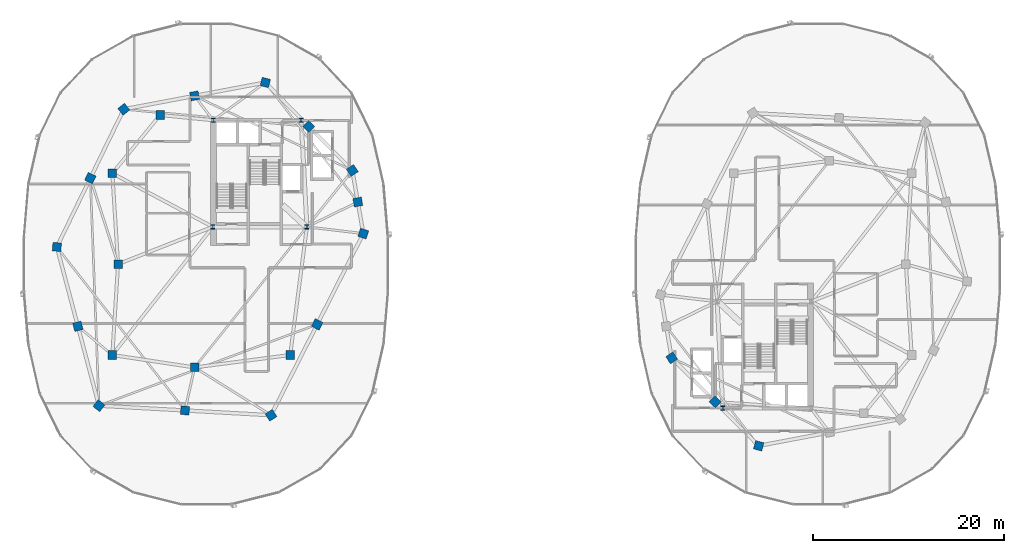
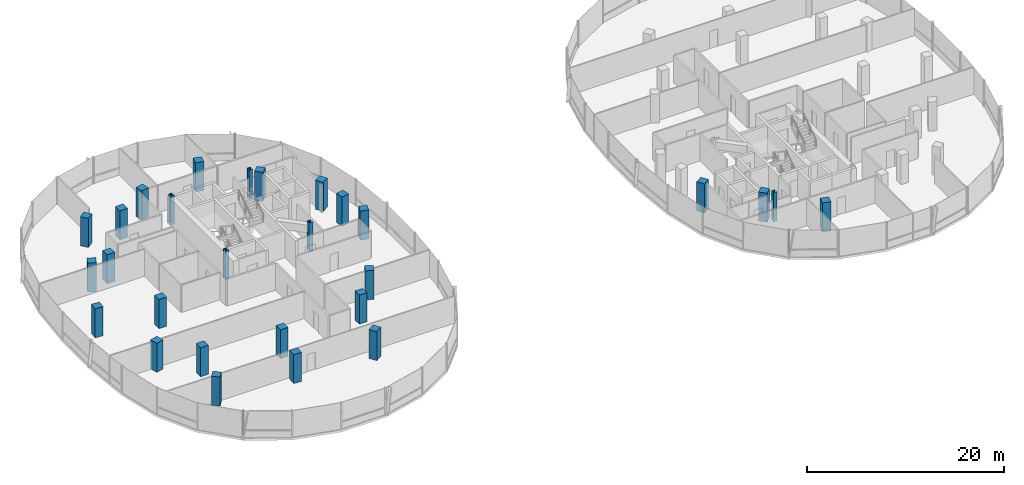
# One storey, part 1 of 25: 28 columns.
"""IFC4 building model written with IfcOpenShell, lengths in metres."""

import ifcopenshell
import ifcopenshell.guid

model = None  # the IFC model being written
_history = None  # IfcOwnerHistory: only IFC2X3 demands one
_inside = {}  # id of a spatial element -> (the spatial element, [elements in it])
_under = {}  # id of a project, library or spatial element -> (it, [spatial elements below it])
_declared = {}  # id of a project -> (the project, [libraries it declares])
_typed = {}  # id of a type object -> (the type object, [elements of that type])
_made_of = {}  # id of a material, layer set ... -> (it, [elements and type objects made of it])


def new_model(schema):
    """Start an empty IFC model of exactly this schema.

    Asked for "IFC4X3", IfcOpenShell would pick the latest addendum, in which some entities
    have other attributes; the version numbers below select the first issue.
    IFC2X3 requires an IfcOwnerHistory on every rooted entity: one is made here for all.
    """
    global model, _history
    if schema == "IFC4X3":
        model = ifcopenshell.file(schema_version=(4, 3, 0, 0))
    else:
        model = ifcopenshell.file(schema=schema)
    _inside.clear()
    _under.clear()
    _declared.clear()
    _typed.clear()
    _made_of.clear()
    _history = None
    if model.schema == "IFC2X3":
        org = make("IfcOrganization", Name="unknown")
        user = make(
            "IfcPersonAndOrganization",
            ThePerson=make("IfcPerson", FamilyName="unknown"),
            TheOrganization=org,
        )
        app = make(
            "IfcApplication",
            ApplicationDeveloper=org,
            Version="unknown",
            ApplicationFullName="unknown",
            ApplicationIdentifier="unknown",
        )
        _history = make(
            "IfcOwnerHistory",
            OwningUser=user,
            OwningApplication=app,
            ChangeAction="ADDED",
            CreationDate=0,
        )
    return model


def make(cls, **values):
    """One entity of the class cls with the attributes given. An attribute that is None is left unset."""
    return model.create_entity(
        cls, **{name: value for name, value in values.items() if value is not None}
    )


def rooted(cls, **values):
    """An entity with a GlobalId (a new one), such as an element, a storey or a relation."""
    return make(cls, GlobalId=ifcopenshell.guid.new(), OwnerHistory=_history, **values)


def si_unit(unit_type, name, prefix=None):
    """IfcSIUnit, for example si_unit("LENGTHUNIT", "METRE", prefix="MILLI")."""
    return make("IfcSIUnit", UnitType=unit_type, Prefix=prefix, Name=name)


def assignment(units):
    """IfcUnitAssignment: the units of a project."""
    return None if units is None else make("IfcUnitAssignment", Units=units)


def point(xyz):
    """IfcCartesianPoint."""
    return None if xyz is None else make("IfcCartesianPoint", Coordinates=xyz)


def direction(xyz):
    """IfcDirection."""
    return None if xyz is None else make("IfcDirection", DirectionRatios=xyz)


def frame(location, z_axis=None, x_axis=None):
    """IfcAxis2Placement3D, a coordinate frame: its origin and axes. An axis left out is left unset."""
    return make(
        "IfcAxis2Placement3D",
        Location=point(location),
        Axis=direction(z_axis),
        RefDirection=direction(x_axis),
    )


def frame_2d(location, x_axis=None):
    """IfcAxis2Placement2D, a coordinate frame in the plane: its origin and x axis."""
    return make(
        "IfcAxis2Placement2D", Location=point(location), RefDirection=direction(x_axis)
    )


def origin():
    """The frame at (0, 0, 0) with its axes left unset."""
    return frame((0.0, 0.0, 0.0))


def origin_2d():
    """The frame at (0, 0) in the plane with its x axis left unset."""
    return frame_2d((0.0, 0.0))


def place(relative_to, where):
    """IfcLocalPlacement: puts the frame where relative to a parent placement (None: the world)."""
    return make(
        "IfcLocalPlacement", PlacementRelTo=relative_to, RelativePlacement=where
    )


def context(
    kind, dimensions, precision=None, world=None, true_north=None, identifier=None
):
    """IfcGeometricRepresentationContext, for example the 3D "Model" context."""
    return make(
        "IfcGeometricRepresentationContext",
        ContextIdentifier=identifier,
        ContextType=kind,
        CoordinateSpaceDimension=dimensions,
        Precision=precision,
        WorldCoordinateSystem=world,
        TrueNorth=true_north,
    )


def subcontext(parent, identifier, kind, view, scale=None):
    """IfcGeometricRepresentationSubContext, for example "Body" below "Model"."""
    return make(
        "IfcGeometricRepresentationSubContext",
        ContextIdentifier=identifier,
        ContextType=kind,
        ParentContext=parent,
        TargetScale=scale,
        TargetView=view,
    )


def project(units=None, contexts=None):
    """IfcProject with its units and contexts."""
    return rooted(
        "IfcProject",
        Name="project",
        RepresentationContexts=contexts,
        UnitsInContext=assignment(units),
    )


def spatial(cls, under=None, at=None, **own):
    """A site, building, storey or space (cls), placed at a placement, below another one or the project."""
    s = rooted(cls, ObjectPlacement=at, **own)
    if under is not None:
        _under.setdefault(under.id(), (under, []))[1].append(s)
    return s


def profile(cls, at=None, kind="AREA", **sizes):
    """A parametric profile (cls). Its sizes go by their IFC names, for example OverallWidth=200.0."""
    return make(cls, ProfileType=kind, Position=at, **sizes)


def rectangle(**sizes):
    """IfcRectangleProfileDef."""
    return profile("IfcRectangleProfileDef", **sizes)


def i_section(**sizes):
    """IfcIShapeProfileDef."""
    return profile("IfcIShapeProfileDef", **sizes)


def extrude(swept, where, along, depth):
    """IfcExtrudedAreaSolid: the profile swept, set in the frame where, extruded along a direction by depth."""
    return make(
        "IfcExtrudedAreaSolid",
        SweptArea=swept,
        Position=where,
        ExtrudedDirection=direction(along),
        Depth=depth,
    )


def shape(context_of_items, identifier, shape_type, items):
    """IfcShapeRepresentation: the items that make up one representation, for example the "Body"."""
    return make(
        "IfcShapeRepresentation",
        ContextOfItems=context_of_items,
        RepresentationIdentifier=identifier,
        RepresentationType=shape_type,
        Items=items,
    )


def material(Name=None, Category=None):
    """IfcMaterial."""
    return make("IfcMaterial", Name=Name, Category=Category)


def material_profile(
    of_material, cross_section, Name=None, Category=None, Priority=None
):
    """IfcMaterialProfile: a cross section and its material."""
    return make(
        "IfcMaterialProfile",
        Name=Name,
        Material=of_material,
        Profile=cross_section,
        Priority=Priority,
        Category=Category,
    )


def profile_set(profiles, Name=None, composite=None):
    """IfcMaterialProfileSet."""
    return make(
        "IfcMaterialProfileSet",
        Name=Name,
        MaterialProfiles=profiles,
        CompositeProfile=composite,
    )


def made_of(thing, what):
    """Note that an element or type object is made of a material, layer set ...; save() writes the relation."""
    if what is not None:
        _made_of.setdefault(what.id(), (what, []))[1].append(thing)
    return thing


def type_object(cls, material=None, **own):
    """A type object (cls), such as IfcWallType, which elements share."""
    return made_of(rooted(cls, **own), material)


def element(
    cls,
    number,
    at=None,
    inside=None,
    cuts=None,
    type_object=None,
    material=None,
    context=None,
    identifier="Body",
    shape_type=None,
    held_by="IfcProductDefinitionShape",
    body=None,
    shapes=None,
    **own,
):
    """One element of the class cls, such as IfcWall. Its Tag is "e" and its number.

    at: its placement. inside: the storey or other place that contains it. cuts: it is an
    opening in that element (IfcRelVoidsElement). A single representation is given by context,
    identifier, shape_type and body (its items); several are given by shapes. held_by: the class
    of the entity that holds the representations. save() writes the other relations.
    """
    e = rooted(cls, Tag="e%d" % number, ObjectPlacement=at, **own)
    if body is not None:
        shapes = [shape(context, identifier, shape_type, body)]
    if shapes is not None:
        e.Representation = make(held_by, Representations=shapes)
    if inside is not None:
        _inside.setdefault(inside.id(), (inside, []))[1].append(e)
    if cuts is not None:
        rooted(
            "IfcRelVoidsElement", RelatingBuildingElement=cuts, RelatedOpeningElement=e
        )
    if type_object is not None:
        _typed.setdefault(type_object.id(), (type_object, []))[1].append(e)
    return made_of(e, material)


def aggregate(whole, parts):
    """IfcRelAggregates: a whole, such as a stair, and the parts it consists of."""
    return rooted("IfcRelAggregates", RelatingObject=whole, RelatedObjects=parts)


def save(model, path):
    """Write the relations noted so far, then the file.

    IfcRelAggregates (storeys below a building ...), IfcRelContainedInSpatialStructure (elements
    in a storey), IfcRelDefinesByType, IfcRelAssociatesMaterial and IfcRelDeclares: one each for
    every whole, place, type object, material and project.
    """
    for whole, parts in _under.values():
        aggregate(whole, parts)
    for where, things in _inside.values():
        rooted(
            "IfcRelContainedInSpatialStructure",
            RelatedElements=things,
            RelatingStructure=where,
        )
    for kind, things in _typed.values():
        rooted("IfcRelDefinesByType", RelatedObjects=things, RelatingType=kind)
    for what, things in _made_of.values():
        rooted("IfcRelAssociatesMaterial", RelatedObjects=things, RelatingMaterial=what)
    for by, libraries in _declared.values():
        rooted("IfcRelDeclares", RelatingContext=by, RelatedDefinitions=libraries)
    model.write(path)


model = new_model("IFC4")

# Units and contexts
model_context = context("Model", 3, precision=1e-05, world=origin(), true_north=direction((0.0, 1.0)))
body_context = subcontext(model_context, "Body", "Model", "MODEL_VIEW")
ifc_project = project(units=[si_unit("LENGTHUNIT", "METRE"), si_unit("AREAUNIT", "SQUARE_METRE"), si_unit("VOLUMEUNIT", "CUBIC_METRE"), si_unit("PLANEANGLEUNIT", "RADIAN"), si_unit("MASSUNIT", "GRAM", prefix="KILO"), si_unit("THERMODYNAMICTEMPERATUREUNIT", "KELVIN"), si_unit("POWERUNIT", "WATT")], contexts=[model_context])

# Site, building, storey
site_placement = place(None, origin())
site = spatial("IfcSite", under=ifc_project, at=site_placement, CompositionType="ELEMENT")
building_placement = place(site_placement, origin())
building = spatial("IfcBuilding", under=site, at=building_placement, Name="Cundina Bronze Exchange", CompositionType="ELEMENT")
storey_placement = place(building_placement, frame((0.0, 0.0, 220.60009765625)))
storey = spatial("IfcBuildingStorey", under=building, at=storey_placement, Name="L58", CompositionType="ELEMENT", Elevation=220.60009765625)

# Columns
ifc_material_1 = material(Name="Steel ASTM A992 Grade 50", Category="steel")
ifc_material_profile_1 = material_profile(ifc_material_1, i_section(OverallWidth=0.416015625, OverallDepth=0.446044921875, WebThickness=0.0390625, FlangeThickness=0.062744140625, FilletRadius=0.01806640625, at=origin_2d()), Name="W14X342", Category="steel")
ifc_profile_set_1 = profile_set([ifc_material_profile_1], Name="Steel ASTM A992 Grade 50")
column_type_1 = type_object("IfcColumnType", Name="COL-STL-W14B", PredefinedType="COLUMN", material=ifc_profile_set_1)
for number, where, z_axis, x_axis, name in (
    (1, (-31.300048828125, 3.89990234375, 0.0), (0.0, 0.0, 1.0), (1.0, 0.0, 0.0), "L58 Core Anchor Column W1"),
    (2, (-21.449951171875, 3.89990234375, 0.0), (0.0, 0.0, 1.0), (1.0, 0.0, 0.0), "L58 Core Anchor Column W2"),
    (3, (-22.050048828125, 15.050048828125, 0.0), (0.0, 0.0, 1.0), (1.0, 0.0, 0.0), "L58 Core Anchor Column W3"),
    (4, (-31.25, 15.050048828125, 0.0), (0.0, 0.0, 1.0), (1.0, 0.0, 0.0), "L58 Core Anchor Column W4"),
    (5, (22.050048828125, -15.050048828125, 0.0), (0.0, 0.0, 1.0), (1.0, 0.0, 0.0), "L58 Core Anchor Column E3"),
):
    element("IfcColumn", number, at=place(storey_placement, frame(where, z_axis=z_axis, x_axis=x_axis)), inside=storey, type_object=column_type_1, Name=name, PredefinedType="COLUMN", context=body_context, shape_type="SweptSolid", body=[
        extrude(i_section(OverallWidth=0.416015625, OverallDepth=0.446044921875, WebThickness=0.0390625, FlangeThickness=0.062744140625, FilletRadius=0.01806640625, at=origin_2d()), origin(), (0.0, 0.0, 1.0), 3.599853515625),
    ])
ifc_material_2 = material(Name="Concrete C50/60", Category="concrete")
ifc_material_profile_2 = material_profile(ifc_material_2, rectangle(XDim=0.89990234375, YDim=0.89990234375, at=origin_2d()), Name="RC900X900", Category="concrete")
ifc_profile_set_2 = profile_set([ifc_material_profile_2], Name="Concrete C50/60")
column_type_2 = type_object("IfcColumnType", Name="COL-Z4-900", PredefinedType="COLUMN", material=ifc_profile_set_2)
for number, where, z_axis, x_axis, name in (
    (6, (-41.199951171875, 0.0, 0.0), (0.0, 0.0, 1.0), (1.0, 0.0, 0.0), "L58 W Inner Ring Column 1"),
    (7, (-41.800048828125, 9.5, 0.0), (0.0, 0.0, 1.0), (1.0, 0.0, 0.0), "L58 W Inner Ring Column 2"),
    (8, (-36.800048828125, 15.60009765625, 0.0), (0.0, 0.0, 1.0), (1.0, 0.0, 0.0), "L58 W Inner Ring Column 3"),
    (9, (-41.800048828125, -9.5, 0.0), (0.0, 0.0, 1.0), (1.0, 0.0, 0.0), "L58 W Inner Ring Column 4"),
    (10, (-33.199951171875, -10.800048828125, 0.0), (0.0, 0.0, 1.0), (1.0, 0.0, 0.0), "L58 W Inner Ring Column 5"),
    (11, (-23.199951171875, -9.5, 0.0), (0.0, 0.0, 1.0), (1.0, 0.0, 0.0), "L58 W Inner Ring Column 6"),
    (12, (-15.550048828125, 3.199951171875, 0.0), (0.0, 0.0, 1.0), (0.315152163383, 0.949041155016, 0.0), "L58 W Perimeter Column 00"),
    (13, (-16.125, 6.5, 0.0), (0.0, 0.0, 1.0), (-0.171585221787, 0.985169280715, 0.0), "L58 W Perimeter Column 01"),
    (14, (-16.699951171875, 9.800048828125, 0.0), (0.0, 0.0, 1.0), (-0.544199833495, 0.838955625301, 0.0), "L58 W Perimeter Column 02"),
    (15, (-21.25, 14.39990234375, 0.0), (0.0, 0.0, 1.0), (-0.703270634186, 0.710922228581, 0.0), "L58 W Perimeter Column 03"),
    (16, (-25.800048828125, 19.0, 0.0), (0.0, 0.0, 1.0), (-0.965970984022, 0.258650455301, 0.0), "L58 W Perimeter Column 04"),
    (17, (-33.199951171875, 17.60009765625, 0.0), (0.0, 0.0, 1.0), (-0.98258037664, -0.185838110843, 0.0), "L58 W Perimeter Column 05"),
    (18, (-40.60009765625, 16.199951171875, 0.0), (0.0, 0.0, 1.0), (-0.785100778485, -0.619368038909, 0.0), "L58 W Perimeter Column 06"),
    (19, (-44.10009765625, 9.0, 0.0), (0.0, 0.0, 1.0), (-0.437115766651, -0.899405251566, 0.0), "L58 W Perimeter Column 07"),
    (20, (-47.60009765625, 1.800048828125, 0.0), (0.0, 0.0, 1.0), (-0.083503921245, -0.996507448611, 0.0), "L58 W Perimeter Column 08"),
    (21, (-45.39990234375, -6.5, 0.0), (0.0, 0.0, 1.0), (0.256289373133, -0.966600102017, 0.0), "L58 W Perimeter Column 09"),
    (22, (-43.199951171875, -14.800048828125, 0.0), (0.0, 0.0, 1.0), (0.786288432137, -0.61785961309, 0.0), "L58 W Perimeter Column 10"),
    (23, (-34.199951171875, -15.300048828125, 0.0), (0.0, 0.0, 1.0), (0.998460188734, -0.055472980025, 0.0), "L58 W Perimeter Column 11"),
    (24, (-25.199951171875, -15.800048828125, 0.0), (0.0, 0.0, 1.0), (0.838099763533, 0.545516989988, 0.0), "L58 W Perimeter Column 12"),
    (25, (-20.375, -6.300048828125, 0.0), (0.0, 0.0, 1.0), (0.452901591366, 0.891560513111, 0.0), "L58 W Perimeter Column 13"),
    (26, (16.699951171875, -9.800048828125, 0.0), (0.0, 0.0, 1.0), (0.544199833495, -0.838955625301, 0.0), "L58 E Perimeter Column 02"),
    (27, (21.25, -14.39990234375, 0.0), (0.0, 0.0, 1.0), (0.703270634186, -0.710922228581, 0.0), "L58 E Perimeter Column 03"),
    (28, (25.800048828125, -19.0, 0.0), (0.0, 0.0, 1.0), (0.965970984022, -0.258650455301, 0.0), "L58 E Perimeter Column 04"),
):
    element("IfcColumn", number, at=place(storey_placement, frame(where, z_axis=z_axis, x_axis=x_axis)), inside=storey, type_object=column_type_2, Name=name, PredefinedType="COLUMN", context=body_context, shape_type="SweptSolid", body=[
        extrude(rectangle(XDim=0.89990234375, YDim=0.89990234375, at=origin_2d()), origin(), (0.0, 0.0, 1.0), 3.599853515625),
    ])

save(model, "model.ifc")
